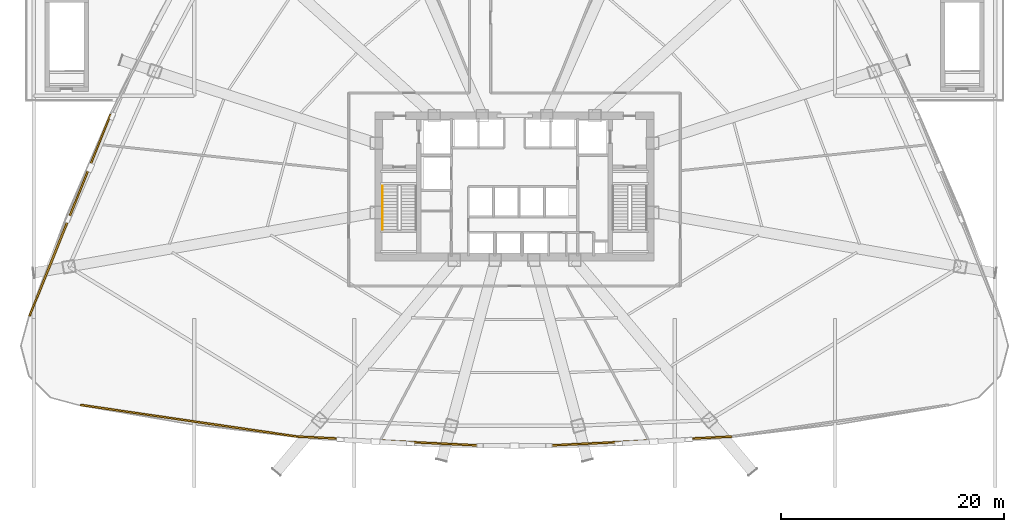
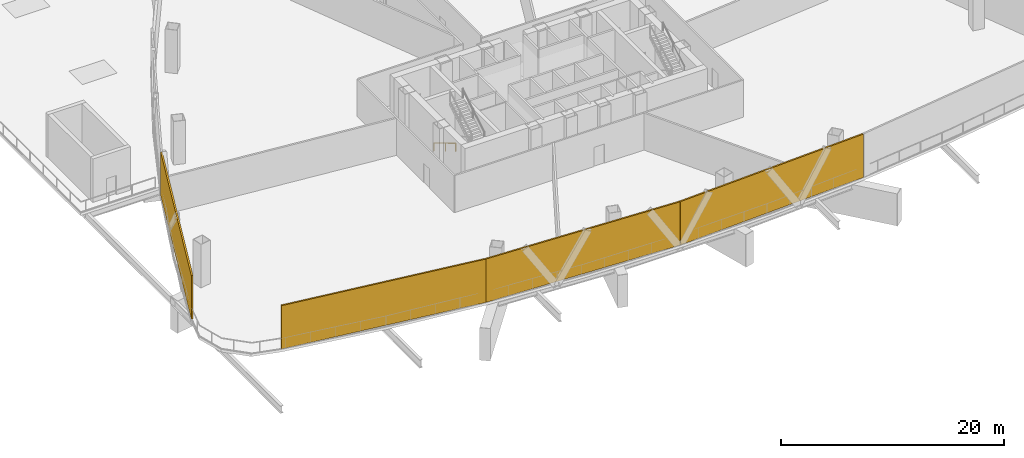
# One storey, part 12 of 18: 4 shading devices, 1 railing.
"""IFC4 building model written with IfcOpenShell, lengths in metres."""

from ifc_helpers import new_model, si_unit, direction, frame, origin, origin_2d, place, context, subcontext, project, spatial, rectangle, extrude, source, transform, mapped, material, layer, layer_set, type_object, element, save


model = new_model("IFC4")

# Units and contexts
model_context = context("Model", 3, precision=1e-05, world=origin(), true_north=direction((0.0, 1.0)))
body_context = subcontext(model_context, "Body", "Model", "MODEL_VIEW")
ifc_project = project(units=[si_unit("LENGTHUNIT", "METRE"), si_unit("AREAUNIT", "SQUARE_METRE"), si_unit("VOLUMEUNIT", "CUBIC_METRE"), si_unit("PLANEANGLEUNIT", "RADIAN"), si_unit("MASSUNIT", "GRAM", prefix="KILO"), si_unit("THERMODYNAMICTEMPERATUREUNIT", "KELVIN"), si_unit("POWERUNIT", "WATT")], contexts=[model_context])

# Site, building, storey
site_placement = place(None, origin())
site = spatial("IfcSite", under=ifc_project, at=site_placement, CompositionType="ELEMENT")
building_placement = place(site_placement, origin())
building = spatial("IfcBuilding", under=site, at=building_placement, Name="Yunzhuo Pagoda Commons", CompositionType="ELEMENT")
storey_placement = place(building_placement, frame((0.0, 0.0, 25.39990234375)))
storey = spatial("IfcBuildingStorey", under=building, at=storey_placement, Name="L06", CompositionType="ELEMENT", Elevation=25.39990234375)

# Railing
ifc_material = material(Name="Anodized aluminium 6063-T6", Category="aluminium")
railing_type = type_object("IfcRailingType", Name="HR-ST1 Stair Handrail 900", PredefinedType="HANDRAIL", material=ifc_material)
railing_placement = place(storey_placement, frame((36.14990234375, 33.89990234375, 0.166748046875)))
element("IfcRailing", 1, at=railing_placement, inside=storey, type_object=railing_type, Name="L06 ST1 stair handrail 1", PredefinedType="HANDRAIL", context=body_context, shape_type="SweptSolid", body=[
    extrude(rectangle(XDim=0.048095703125, YDim=0.048095703125, at=origin_2d()), frame((0.0, 0.0, 0.8759765625), z_axis=(0.0, -0.859296244711, 0.511478214419), x_axis=(1.0, 0.0, 0.0)), (0.0, 0.0, 1.0), 4.561767578125),
    extrude(rectangle(XDim=0.0419921875, YDim=0.0419921875, at=origin_2d()), origin(), (0.0, 0.0, 1.0), 0.851806640625),
    extrude(rectangle(XDim=0.0419921875, YDim=0.0419921875, at=origin_2d()), frame((0.0, -2.062255859375, 1.2275390625)), (0.0, 0.0, 1.0), 0.851806640625),
    extrude(rectangle(XDim=0.0419921875, YDim=0.0419921875, at=origin_2d()), frame((0.0, -3.919921875, 2.333251953125)), (0.0, 0.0, 1.0), 0.851806640625),
])

# Shading devices
ifc_layer = layer(ifc_material, 0.159912109375)
ifc_layer_set = layer_set([ifc_layer], Name="Anodized aluminium 6063-T6")
shading_device_type = type_object("IfcShadingDeviceType", Name="SH-SCR1 Stormproof Refuge Louvre Screen", PredefinedType="JALOUSIE", material=ifc_layer_set)
shared_shape_1 = source(origin(), body_context, "Body", "SweptSolid", [
    extrude(rectangle(XDim=19.689453125, YDim=0.159912109375, at=origin_2d()), origin(), (0.0, 0.0, 1.0), 4.739990234375),
])
shading_device_1_placement = place(storey_placement, frame((18.7333984375, 12.793701171875, 0.0), z_axis=(0.0, 0.0, 1.0), x_axis=(0.989510666697, -0.144459823108, 0.0)))
element("IfcShadingDevice", 2, at=shading_device_1_placement, inside=storey, type_object=shading_device_type, Name="L06 stormproof refuge louvre screen F1.1", PredefinedType="JALOUSIE", context=body_context, shape_type="MappedRepresentation", body=[
    mapped(shared_shape_1, transform((0.0, 0.0, 0.0), scale=1.0)),
])
shared_shape_2 = source(origin(), body_context, "Body", "SweptSolid", [
    extrude(rectangle(XDim=19.505615234375, YDim=0.159912109375, at=origin_2d()), origin(), (0.0, 0.0, 1.0), 4.739990234375),
])
for number, where, z_axis, x_axis, name in (
    (3, (38.24462890625, 10.89501953125, 0.0), (0.0, 0.0, 1.0), (0.998818043775, -0.04860571396, 0.0), "L06 stormproof refuge louvre screen F1.2"),
    (4, (57.755615234375, 10.89501953125, 0.0), (0.0, 0.0, 1.0), (0.998818043775, 0.04860571396, 0.0), "L06 stormproof refuge louvre screen F1.3"),
):
    element("IfcShadingDevice", number, at=place(storey_placement, frame(where, z_axis=z_axis, x_axis=x_axis)), inside=storey, type_object=shading_device_type, Name=name, PredefinedType="JALOUSIE", context=body_context, shape_type="MappedRepresentation", body=[
        mapped(shared_shape_2, transform((0.0, 0.0, 0.0), scale=1.0)),
    ])
shared_shape_3 = source(origin(), body_context, "Body", "SweptSolid", [
    extrude(rectangle(XDim=19.53125, YDim=0.159912109375, at=origin_2d()), origin(), (0.0, 0.0, 1.0), 4.739990234375),
])
shading_device_2_placement = place(storey_placement, frame((8.052490234375, 31.257080078125, 0.0), z_axis=(0.0, 0.0, 1.0), x_axis=(-0.372987782576, -0.927836253899, 0.0)))
element("IfcShadingDevice", 5, at=shading_device_2_placement, inside=storey, type_object=shading_device_type, Name="L06 stormproof refuge louvre screen F3.4", PredefinedType="JALOUSIE", context=body_context, shape_type="MappedRepresentation", body=[
    mapped(shared_shape_3, transform((0.0, 0.0, 0.0), scale=1.0)),
])

save(model, "model.ifc")
